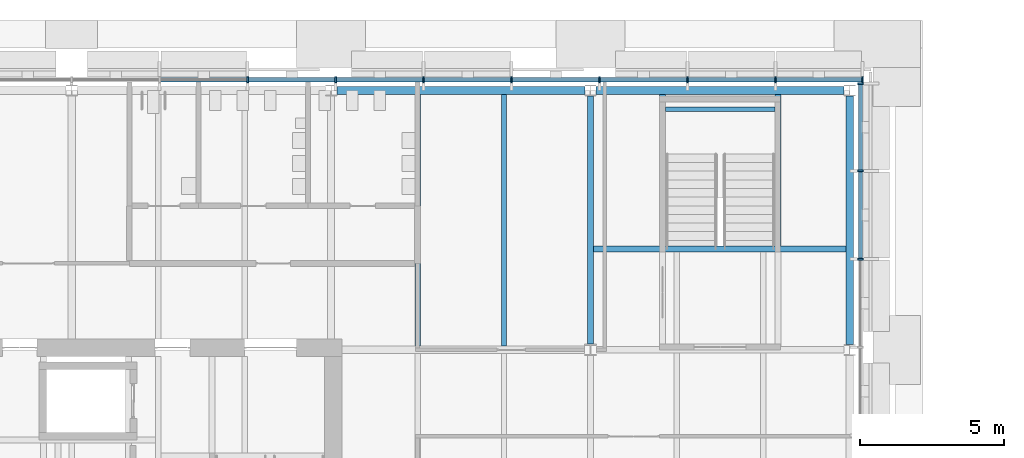
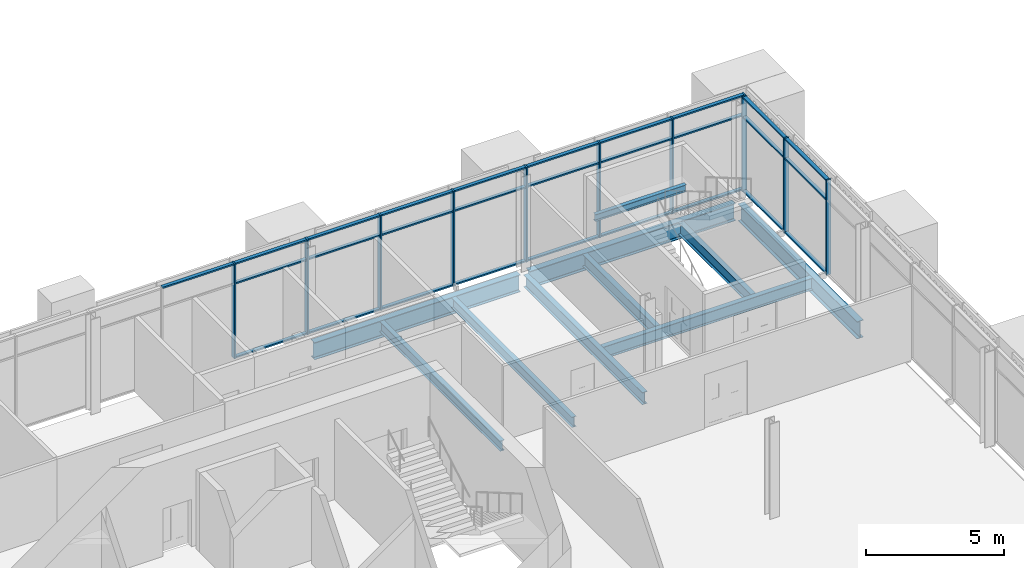
# One storey, part 87 of 153: 39 members, 10 beams, 2 elements without a shape of their own.
"""IFC4 building model written with IfcOpenShell, lengths in metres."""

from ifc_helpers import new_model, si_unit, direction, frame, origin, origin_2d, place, context, subcontext, project, spatial, rectangle, i_section, extrude, material, material_profile, profile_set, type_object, element, aggregate, save


model = new_model("IFC4")

# Units and contexts
model_context = context("Model", 3, precision=1e-05, world=origin(), true_north=direction((0.0, 1.0)))
body_context = subcontext(model_context, "Body", "Model", "MODEL_VIEW")
ifc_project = project(units=[si_unit("LENGTHUNIT", "METRE"), si_unit("AREAUNIT", "SQUARE_METRE"), si_unit("VOLUMEUNIT", "CUBIC_METRE"), si_unit("PLANEANGLEUNIT", "RADIAN"), si_unit("MASSUNIT", "GRAM", prefix="KILO")], contexts=[model_context])

# Site, building, storey
site_placement = place(None, origin())
site = spatial("IfcSite", under=ifc_project, at=site_placement, CompositionType="ELEMENT")
building_placement = place(site_placement, origin())
building = spatial("IfcBuilding", under=site, at=building_placement, Name="Baradari Gate Terminus", CompositionType="ELEMENT")
storey_placement = place(building_placement, frame((0.0, 0.0, 11.699951171875)))
storey = spatial("IfcBuildingStorey", under=building, at=storey_placement, Name="L02", CompositionType="ELEMENT", Elevation=11.699951171875)

# Curtain wall, members
ifc_material_1 = material(Name="Aluminium 6063-T6", Category="aluminium")
curtain_wall_type = type_object("IfcCurtainWallType", Name="Curtain wall CW-1 block unitised, zone L02-L05", PredefinedType="NOTDEFINED", material=ifc_material_1)
curtain_wall_1_placement = place(storey_placement, origin())
curtain_wall_1 = element("IfcCurtainWall", 1, at=curtain_wall_1_placement, inside=storey, type_object=curtain_wall_type, Name="Curtain wall CW-1 Operations block N face L02", PredefinedType="NOTDEFINED")
ifc_material_2 = material(Name="Aluminium 6063-T6", Category="aluminium")
ifc_material_profile_1 = material_profile(ifc_material_2, rectangle(XDim=0.199951171875, YDim=0.06494140625, at=origin_2d()), Name="CM-1 65X200")
ifc_profile_set_1 = profile_set([ifc_material_profile_1], Name="Aluminium 6063-T6")
member_type_1 = type_object("IfcMemberType", Name="Curtain wall mullion CM-1 65x200", PredefinedType="MULLION", material=ifc_profile_set_1)
member_1_placement = place(storey_placement, frame((42.1044921875, 144.3701171875, 0.0), z_axis=(0.0, 0.0, 1.0), x_axis=(0.0, 1.0, 0.0)))
member_1 = element("IfcMember", 2, at=member_1_placement, type_object=member_type_1, Name="CW-1 mullion 12", PredefinedType="MULLION", context=body_context, shape_type="SweptSolid", body=[
    extrude(rectangle(XDim=0.199951171875, YDim=0.06494140625, at=origin_2d()), origin(), (0.0, 0.0, 1.0), 4.199951171875),
])
member_2_placement = place(storey_placement, frame((45.15673828125, 144.3701171875, 0.0), z_axis=(0.0, 0.0, 1.0), x_axis=(0.0, 1.0, 0.0)))
member_2 = element("IfcMember", 3, at=member_2_placement, type_object=member_type_1, Name="CW-1 mullion 13", PredefinedType="MULLION", context=body_context, shape_type="SweptSolid", body=[
    extrude(rectangle(XDim=0.199951171875, YDim=0.06494140625, at=origin_2d()), origin(), (0.0, 0.0, 1.0), 4.199951171875),
])
member_3_placement = place(storey_placement, frame((48.208984375, 144.3701171875, 0.0), z_axis=(0.0, 0.0, 1.0), x_axis=(0.0, 1.0, 0.0)))
member_3 = element("IfcMember", 4, at=member_3_placement, type_object=member_type_1, Name="CW-1 mullion 14", PredefinedType="MULLION", context=body_context, shape_type="SweptSolid", body=[
    extrude(rectangle(XDim=0.199951171875, YDim=0.06494140625, at=origin_2d()), origin(), (0.0, 0.0, 1.0), 4.199951171875),
])
member_4_placement = place(storey_placement, frame((51.26123046875, 144.3701171875, 0.0), z_axis=(0.0, 0.0, 1.0), x_axis=(0.0, 1.0, 0.0)))
member_4 = element("IfcMember", 5, at=member_4_placement, type_object=member_type_1, Name="CW-1 mullion 15", PredefinedType="MULLION", context=body_context, shape_type="SweptSolid", body=[
    extrude(rectangle(XDim=0.199951171875, YDim=0.06494140625, at=origin_2d()), origin(), (0.0, 0.0, 1.0), 4.199951171875),
])
member_5_placement = place(storey_placement, frame((54.313232421875, 144.3701171875, 0.0), z_axis=(0.0, 0.0, 1.0), x_axis=(0.0, 1.0, 0.0)))
member_5 = element("IfcMember", 6, at=member_5_placement, type_object=member_type_1, Name="CW-1 mullion 16", PredefinedType="MULLION", context=body_context, shape_type="SweptSolid", body=[
    extrude(rectangle(XDim=0.199951171875, YDim=0.06494140625, at=origin_2d()), origin(), (0.0, 0.0, 1.0), 4.199951171875),
])
member_6_placement = place(storey_placement, frame((57.365478515625, 144.3701171875, 0.0), z_axis=(0.0, 0.0, 1.0), x_axis=(0.0, 1.0, 0.0)))
member_6 = element("IfcMember", 7, at=member_6_placement, type_object=member_type_1, Name="CW-1 mullion 17", PredefinedType="MULLION", context=body_context, shape_type="SweptSolid", body=[
    extrude(rectangle(XDim=0.199951171875, YDim=0.06494140625, at=origin_2d()), origin(), (0.0, 0.0, 1.0), 4.199951171875),
])
member_7_placement = place(storey_placement, frame((60.417724609375, 144.3701171875, 0.0), z_axis=(0.0, 0.0, 1.0), x_axis=(0.0, 1.0, 0.0)))
member_7 = element("IfcMember", 8, at=member_7_placement, type_object=member_type_1, Name="CW-1 mullion 18", PredefinedType="MULLION", context=body_context, shape_type="SweptSolid", body=[
    extrude(rectangle(XDim=0.199951171875, YDim=0.06494140625, at=origin_2d()), origin(), (0.0, 0.0, 1.0), 4.199951171875),
])
member_8_placement = place(storey_placement, frame((63.4375, 144.3701171875, 0.0), z_axis=(0.0, 0.0, 1.0), x_axis=(0.0, 1.0, 0.0)))
member_8 = element("IfcMember", 9, at=member_8_placement, type_object=member_type_1, Name="CW-1 mullion 19", PredefinedType="MULLION", context=body_context, shape_type="SweptSolid", body=[
    extrude(rectangle(XDim=0.199951171875, YDim=0.06494140625, at=origin_2d()), origin(), (0.0, 0.0, 1.0), 4.199951171875),
])

curtain_wall_2_placement = place(storey_placement, origin())
curtain_wall_2 = element("IfcCurtainWall", 10, at=curtain_wall_2_placement, inside=storey, type_object=curtain_wall_type, Name="Curtain wall CW-1 Operations block E face L02", PredefinedType="NOTDEFINED")
member_9_placement = place(storey_placement, frame((63.3701171875, 138.14990234375, 0.0), z_axis=(0.0, 0.0, 1.0), x_axis=(-1.0, 0.0, 0.0)))
member_9 = element("IfcMember", 11, at=member_9_placement, type_object=member_type_1, Name="CW-1 mullion 8", PredefinedType="MULLION", context=body_context, shape_type="SweptSolid", body=[
    extrude(rectangle(XDim=0.199951171875, YDim=0.06494140625, at=origin_2d()), origin(), (0.0, 0.0, 1.0), 4.199951171875),
])
member_10_placement = place(storey_placement, frame((63.3701171875, 141.2099609375, 0.0), z_axis=(0.0, 0.0, 1.0), x_axis=(-1.0, 0.0, 0.0)))
member_10 = element("IfcMember", 12, at=member_10_placement, type_object=member_type_1, Name="CW-1 mullion 9", PredefinedType="MULLION", context=body_context, shape_type="SweptSolid", body=[
    extrude(rectangle(XDim=0.199951171875, YDim=0.06494140625, at=origin_2d()), origin(), (0.0, 0.0, 1.0), 4.199951171875),
])
member_11_placement = place(storey_placement, frame((63.3701171875, 144.237548828125, 0.0), z_axis=(0.0, 0.0, 1.0), x_axis=(-1.0, 0.0, 0.0)))
member_11 = element("IfcMember", 13, at=member_11_placement, type_object=member_type_1, Name="CW-1 mullion 10", PredefinedType="MULLION", context=body_context, shape_type="SweptSolid", body=[
    extrude(rectangle(XDim=0.199951171875, YDim=0.06494140625, at=origin_2d()), origin(), (0.0, 0.0, 1.0), 4.199951171875),
])

# Member
ifc_material_3 = material(Name="Aluminium 6063-T6", Category="aluminium")
ifc_material_profile_2 = material_profile(ifc_material_3, rectangle(XDim=0.14990234375, YDim=0.06494140625, at=origin_2d()), Name="CT-1 65X150")
ifc_profile_set_2 = profile_set([ifc_material_profile_2], Name="Aluminium 6063-T6")
member_type_2 = type_object("IfcMemberType", Name="Curtain wall transom CT-1 65x150", PredefinedType="USERDEFINED", material=ifc_profile_set_2)
member_12_placement = place(storey_placement, frame((39.084716796875, 144.3701171875, 4.16748046875), z_axis=(1.0, 0.0, 0.0), x_axis=(0.0, 1.0, 0.0)))
member_12 = element("IfcMember", 14, at=member_12_placement, type_object=member_type_2, Name="CW-1 transom 11.3", ObjectType="TRANSOM", PredefinedType="USERDEFINED", context=body_context, shape_type="SweptSolid", body=[
    extrude(rectangle(XDim=0.14990234375, YDim=0.06494140625, at=origin_2d()), origin(), (0.0, 0.0, 1.0), 2.9873046875),
])

member_13_placement = place(storey_placement, frame((42.136962890625, 144.3701171875, 0.032470703125), z_axis=(1.0, 0.0, 0.0), x_axis=(0.0, 1.0, 0.0)))
member_13 = element("IfcMember", 15, at=member_13_placement, type_object=member_type_2, Name="CW-1 transom 12.1", ObjectType="TRANSOM", PredefinedType="USERDEFINED", context=body_context, shape_type="SweptSolid", body=[
    extrude(rectangle(XDim=0.14990234375, YDim=0.06494140625, at=origin_2d()), origin(), (0.0, 0.0, 1.0), 2.9873046875),
])

member_14_placement = place(storey_placement, frame((42.136962890625, 144.3701171875, 3.300048828125), z_axis=(1.0, 0.0, 0.0), x_axis=(0.0, 1.0, 0.0)))
member_14 = element("IfcMember", 16, at=member_14_placement, type_object=member_type_2, Name="CW-1 transom 12.2", ObjectType="TRANSOM", PredefinedType="USERDEFINED", context=body_context, shape_type="SweptSolid", body=[
    extrude(rectangle(XDim=0.14990234375, YDim=0.06494140625, at=origin_2d()), origin(), (0.0, 0.0, 1.0), 2.9873046875),
])

member_15_placement = place(storey_placement, frame((42.136962890625, 144.3701171875, 4.16748046875), z_axis=(1.0, 0.0, 0.0), x_axis=(0.0, 1.0, 0.0)))
member_15 = element("IfcMember", 17, at=member_15_placement, type_object=member_type_2, Name="CW-1 transom 12.3", ObjectType="TRANSOM", PredefinedType="USERDEFINED", context=body_context, shape_type="SweptSolid", body=[
    extrude(rectangle(XDim=0.14990234375, YDim=0.06494140625, at=origin_2d()), origin(), (0.0, 0.0, 1.0), 2.9873046875),
])

member_16_placement = place(storey_placement, frame((45.189208984375, 144.3701171875, 0.032470703125), z_axis=(1.0, 0.0, 0.0), x_axis=(0.0, 1.0, 0.0)))
member_16 = element("IfcMember", 18, at=member_16_placement, type_object=member_type_2, Name="CW-1 transom 13.1", ObjectType="TRANSOM", PredefinedType="USERDEFINED", context=body_context, shape_type="SweptSolid", body=[
    extrude(rectangle(XDim=0.14990234375, YDim=0.06494140625, at=origin_2d()), origin(), (0.0, 0.0, 1.0), 2.987060546875),
])

member_17_placement = place(storey_placement, frame((45.189208984375, 144.3701171875, 3.300048828125), z_axis=(1.0, 0.0, 0.0), x_axis=(0.0, 1.0, 0.0)))
member_17 = element("IfcMember", 19, at=member_17_placement, type_object=member_type_2, Name="CW-1 transom 13.2", ObjectType="TRANSOM", PredefinedType="USERDEFINED", context=body_context, shape_type="SweptSolid", body=[
    extrude(rectangle(XDim=0.14990234375, YDim=0.06494140625, at=origin_2d()), origin(), (0.0, 0.0, 1.0), 2.987060546875),
])

member_18_placement = place(storey_placement, frame((45.189208984375, 144.3701171875, 4.16748046875), z_axis=(1.0, 0.0, 0.0), x_axis=(0.0, 1.0, 0.0)))
member_18 = element("IfcMember", 20, at=member_18_placement, type_object=member_type_2, Name="CW-1 transom 13.3", ObjectType="TRANSOM", PredefinedType="USERDEFINED", context=body_context, shape_type="SweptSolid", body=[
    extrude(rectangle(XDim=0.14990234375, YDim=0.06494140625, at=origin_2d()), origin(), (0.0, 0.0, 1.0), 2.987060546875),
])

member_19_placement = place(storey_placement, frame((48.241455078125, 144.3701171875, 0.032470703125), z_axis=(1.0, 0.0, 0.0), x_axis=(0.0, 1.0, 0.0)))
member_19 = element("IfcMember", 21, at=member_19_placement, type_object=member_type_2, Name="CW-1 transom 14.1", ObjectType="TRANSOM", PredefinedType="USERDEFINED", context=body_context, shape_type="SweptSolid", body=[
    extrude(rectangle(XDim=0.14990234375, YDim=0.06494140625, at=origin_2d()), origin(), (0.0, 0.0, 1.0), 2.987060546875),
])

member_20_placement = place(storey_placement, frame((48.241455078125, 144.3701171875, 3.300048828125), z_axis=(1.0, 0.0, 0.0), x_axis=(0.0, 1.0, 0.0)))
member_20 = element("IfcMember", 22, at=member_20_placement, type_object=member_type_2, Name="CW-1 transom 14.2", ObjectType="TRANSOM", PredefinedType="USERDEFINED", context=body_context, shape_type="SweptSolid", body=[
    extrude(rectangle(XDim=0.14990234375, YDim=0.06494140625, at=origin_2d()), origin(), (0.0, 0.0, 1.0), 2.987060546875),
])

member_21_placement = place(storey_placement, frame((48.241455078125, 144.3701171875, 4.16748046875), z_axis=(1.0, 0.0, 0.0), x_axis=(0.0, 1.0, 0.0)))
member_21 = element("IfcMember", 23, at=member_21_placement, type_object=member_type_2, Name="CW-1 transom 14.3", ObjectType="TRANSOM", PredefinedType="USERDEFINED", context=body_context, shape_type="SweptSolid", body=[
    extrude(rectangle(XDim=0.14990234375, YDim=0.06494140625, at=origin_2d()), origin(), (0.0, 0.0, 1.0), 2.987060546875),
])

member_22_placement = place(storey_placement, frame((51.293701171875, 144.3701171875, 0.032470703125), z_axis=(1.0, 0.0, 0.0), x_axis=(0.0, 1.0, 0.0)))
member_22 = element("IfcMember", 24, at=member_22_placement, type_object=member_type_2, Name="CW-1 transom 15.1", ObjectType="TRANSOM", PredefinedType="USERDEFINED", context=body_context, shape_type="SweptSolid", body=[
    extrude(rectangle(XDim=0.14990234375, YDim=0.06494140625, at=origin_2d()), origin(), (0.0, 0.0, 1.0), 2.987060546875),
])

member_23_placement = place(storey_placement, frame((51.293701171875, 144.3701171875, 3.300048828125), z_axis=(1.0, 0.0, 0.0), x_axis=(0.0, 1.0, 0.0)))
member_23 = element("IfcMember", 25, at=member_23_placement, type_object=member_type_2, Name="CW-1 transom 15.2", ObjectType="TRANSOM", PredefinedType="USERDEFINED", context=body_context, shape_type="SweptSolid", body=[
    extrude(rectangle(XDim=0.14990234375, YDim=0.06494140625, at=origin_2d()), origin(), (0.0, 0.0, 1.0), 2.987060546875),
])

member_24_placement = place(storey_placement, frame((51.293701171875, 144.3701171875, 4.16748046875), z_axis=(1.0, 0.0, 0.0), x_axis=(0.0, 1.0, 0.0)))
member_24 = element("IfcMember", 26, at=member_24_placement, type_object=member_type_2, Name="CW-1 transom 15.3", ObjectType="TRANSOM", PredefinedType="USERDEFINED", context=body_context, shape_type="SweptSolid", body=[
    extrude(rectangle(XDim=0.14990234375, YDim=0.06494140625, at=origin_2d()), origin(), (0.0, 0.0, 1.0), 2.987060546875),
])

member_25_placement = place(storey_placement, frame((54.345947265625, 144.3701171875, 0.032470703125), z_axis=(1.0, 0.0, 0.0), x_axis=(0.0, 1.0, 0.0)))
member_25 = element("IfcMember", 27, at=member_25_placement, type_object=member_type_2, Name="CW-1 transom 16.1", ObjectType="TRANSOM", PredefinedType="USERDEFINED", context=body_context, shape_type="SweptSolid", body=[
    extrude(rectangle(XDim=0.14990234375, YDim=0.06494140625, at=origin_2d()), origin(), (0.0, 0.0, 1.0), 2.987060546875),
])

member_26_placement = place(storey_placement, frame((54.345947265625, 144.3701171875, 3.300048828125), z_axis=(1.0, 0.0, 0.0), x_axis=(0.0, 1.0, 0.0)))
member_26 = element("IfcMember", 28, at=member_26_placement, type_object=member_type_2, Name="CW-1 transom 16.2", ObjectType="TRANSOM", PredefinedType="USERDEFINED", context=body_context, shape_type="SweptSolid", body=[
    extrude(rectangle(XDim=0.14990234375, YDim=0.06494140625, at=origin_2d()), origin(), (0.0, 0.0, 1.0), 2.987060546875),
])

member_27_placement = place(storey_placement, frame((54.345947265625, 144.3701171875, 4.16748046875), z_axis=(1.0, 0.0, 0.0), x_axis=(0.0, 1.0, 0.0)))
member_27 = element("IfcMember", 29, at=member_27_placement, type_object=member_type_2, Name="CW-1 transom 16.3", ObjectType="TRANSOM", PredefinedType="USERDEFINED", context=body_context, shape_type="SweptSolid", body=[
    extrude(rectangle(XDim=0.14990234375, YDim=0.06494140625, at=origin_2d()), origin(), (0.0, 0.0, 1.0), 2.987060546875),
])

member_28_placement = place(storey_placement, frame((57.39794921875, 144.3701171875, 0.032470703125), z_axis=(1.0, 0.0, 0.0), x_axis=(0.0, 1.0, 0.0)))
member_28 = element("IfcMember", 30, at=member_28_placement, type_object=member_type_2, Name="CW-1 transom 17.1", ObjectType="TRANSOM", PredefinedType="USERDEFINED", context=body_context, shape_type="SweptSolid", body=[
    extrude(rectangle(XDim=0.14990234375, YDim=0.06494140625, at=origin_2d()), origin(), (0.0, 0.0, 1.0), 2.9873046875),
])

member_29_placement = place(storey_placement, frame((57.39794921875, 144.3701171875, 3.300048828125), z_axis=(1.0, 0.0, 0.0), x_axis=(0.0, 1.0, 0.0)))
member_29 = element("IfcMember", 31, at=member_29_placement, type_object=member_type_2, Name="CW-1 transom 17.2", ObjectType="TRANSOM", PredefinedType="USERDEFINED", context=body_context, shape_type="SweptSolid", body=[
    extrude(rectangle(XDim=0.14990234375, YDim=0.06494140625, at=origin_2d()), origin(), (0.0, 0.0, 1.0), 2.9873046875),
])

member_30_placement = place(storey_placement, frame((57.39794921875, 144.3701171875, 4.16748046875), z_axis=(1.0, 0.0, 0.0), x_axis=(0.0, 1.0, 0.0)))
member_30 = element("IfcMember", 32, at=member_30_placement, type_object=member_type_2, Name="CW-1 transom 17.3", ObjectType="TRANSOM", PredefinedType="USERDEFINED", context=body_context, shape_type="SweptSolid", body=[
    extrude(rectangle(XDim=0.14990234375, YDim=0.06494140625, at=origin_2d()), origin(), (0.0, 0.0, 1.0), 2.9873046875),
])

member_31_placement = place(storey_placement, frame((60.4501953125, 144.3701171875, 0.032470703125), z_axis=(1.0, 0.0, 0.0), x_axis=(0.0, 1.0, 0.0)))
member_31 = element("IfcMember", 33, at=member_31_placement, type_object=member_type_2, Name="CW-1 transom 18.1", ObjectType="TRANSOM", PredefinedType="USERDEFINED", context=body_context, shape_type="SweptSolid", body=[
    extrude(rectangle(XDim=0.14990234375, YDim=0.06494140625, at=origin_2d()), origin(), (0.0, 0.0, 1.0), 2.954833984375),
])

member_32_placement = place(storey_placement, frame((60.4501953125, 144.3701171875, 3.300048828125), z_axis=(1.0, 0.0, 0.0), x_axis=(0.0, 1.0, 0.0)))
member_32 = element("IfcMember", 34, at=member_32_placement, type_object=member_type_2, Name="CW-1 transom 18.2", ObjectType="TRANSOM", PredefinedType="USERDEFINED", context=body_context, shape_type="SweptSolid", body=[
    extrude(rectangle(XDim=0.14990234375, YDim=0.06494140625, at=origin_2d()), origin(), (0.0, 0.0, 1.0), 2.954833984375),
])

member_33_placement = place(storey_placement, frame((60.4501953125, 144.3701171875, 4.16748046875), z_axis=(1.0, 0.0, 0.0), x_axis=(0.0, 1.0, 0.0)))
member_33 = element("IfcMember", 35, at=member_33_placement, type_object=member_type_2, Name="CW-1 transom 18.3", ObjectType="TRANSOM", PredefinedType="USERDEFINED", context=body_context, shape_type="SweptSolid", body=[
    extrude(rectangle(XDim=0.14990234375, YDim=0.06494140625, at=origin_2d()), origin(), (0.0, 0.0, 1.0), 2.954833984375),
])

aggregate(curtain_wall_1, [member_1, member_2, member_3, member_4, member_5, member_6, member_7, member_8, member_12, member_13, member_14, member_15, member_16, member_17, member_18, member_19, member_20, member_21, member_22, member_23, member_24, member_25, member_26, member_27, member_28, member_29, member_30, member_31, member_32, member_33])

member_34_placement = place(storey_placement, frame((63.3701171875, 138.1826171875, 0.032470703125), z_axis=(0.0, 1.0, 0.0), x_axis=(-1.0, 0.0, 0.0)))
member_34 = element("IfcMember", 36, at=member_34_placement, type_object=member_type_2, Name="CW-1 transom 8.1", ObjectType="TRANSOM", PredefinedType="USERDEFINED", context=body_context, shape_type="SweptSolid", body=[
    extrude(rectangle(XDim=0.14990234375, YDim=0.06494140625, at=origin_2d()), origin(), (0.0, 0.0, 1.0), 2.994873046875),
])

member_35_placement = place(storey_placement, frame((63.3701171875, 138.1826171875, 3.300048828125), z_axis=(0.0, 1.0, 0.0), x_axis=(-1.0, 0.0, 0.0)))
member_35 = element("IfcMember", 37, at=member_35_placement, type_object=member_type_2, Name="CW-1 transom 8.2", ObjectType="TRANSOM", PredefinedType="USERDEFINED", context=body_context, shape_type="SweptSolid", body=[
    extrude(rectangle(XDim=0.14990234375, YDim=0.06494140625, at=origin_2d()), origin(), (0.0, 0.0, 1.0), 2.994873046875),
])

member_36_placement = place(storey_placement, frame((63.3701171875, 138.1826171875, 4.16748046875), z_axis=(0.0, 1.0, 0.0), x_axis=(-1.0, 0.0, 0.0)))
member_36 = element("IfcMember", 38, at=member_36_placement, type_object=member_type_2, Name="CW-1 transom 8.3", ObjectType="TRANSOM", PredefinedType="USERDEFINED", context=body_context, shape_type="SweptSolid", body=[
    extrude(rectangle(XDim=0.14990234375, YDim=0.06494140625, at=origin_2d()), origin(), (0.0, 0.0, 1.0), 2.994873046875),
])

member_37_placement = place(storey_placement, frame((63.3701171875, 141.242431640625, 0.032470703125), z_axis=(0.0, 1.0, 0.0), x_axis=(-1.0, 0.0, 0.0)))
member_37 = element("IfcMember", 39, at=member_37_placement, type_object=member_type_2, Name="CW-1 transom 9.1", ObjectType="TRANSOM", PredefinedType="USERDEFINED", context=body_context, shape_type="SweptSolid", body=[
    extrude(rectangle(XDim=0.14990234375, YDim=0.06494140625, at=origin_2d()), origin(), (0.0, 0.0, 1.0), 2.962646484375),
])

member_38_placement = place(storey_placement, frame((63.3701171875, 141.242431640625, 3.300048828125), z_axis=(0.0, 1.0, 0.0), x_axis=(-1.0, 0.0, 0.0)))
member_38 = element("IfcMember", 40, at=member_38_placement, type_object=member_type_2, Name="CW-1 transom 9.2", ObjectType="TRANSOM", PredefinedType="USERDEFINED", context=body_context, shape_type="SweptSolid", body=[
    extrude(rectangle(XDim=0.14990234375, YDim=0.06494140625, at=origin_2d()), origin(), (0.0, 0.0, 1.0), 2.962646484375),
])

member_39_placement = place(storey_placement, frame((63.3701171875, 141.242431640625, 4.16748046875), z_axis=(0.0, 1.0, 0.0), x_axis=(-1.0, 0.0, 0.0)))
member_39 = element("IfcMember", 41, at=member_39_placement, type_object=member_type_2, Name="CW-1 transom 9.3", ObjectType="TRANSOM", PredefinedType="USERDEFINED", context=body_context, shape_type="SweptSolid", body=[
    extrude(rectangle(XDim=0.14990234375, YDim=0.06494140625, at=origin_2d()), origin(), (0.0, 0.0, 1.0), 2.962646484375),
])

aggregate(curtain_wall_2, [member_9, member_10, member_11, member_34, member_35, member_36, member_37, member_38, member_39])

# Beams
ifc_material_4 = material(Name="Steel S355", Category="steel")
ifc_material_profile_3 = material_profile(ifc_material_4, i_section(OverallWidth=0.1650390625, OverallDepth=0.303466796875, WebThickness=0.006103515625, FlangeThickness=0.01025390625, FilletRadius=0.0087890625, at=origin_2d()), Name="UB 305x165x40")
ifc_profile_set_3 = profile_set([ifc_material_profile_3], Name="Steel S355")
beam_type_1 = type_object("IfcBeamType", Name="Landing beam B74 UB 305x165x40", PredefinedType="BEAM", material=ifc_profile_set_3)
beam_1_placement = place(storey_placement, frame((56.60009765625, 143.35009765625, 1.748291015625), z_axis=(1.0, 0.0, 0.0), x_axis=(0.0, 1.0, 0.0)))
element("IfcBeam", 42, at=beam_1_placement, inside=storey, type_object=beam_type_1, Name="B74 landing beam ST-T3/L1", PredefinedType="BEAM", context=body_context, shape_type="SweptSolid", body=[
    extrude(i_section(OverallWidth=0.1650390625, OverallDepth=0.303466796875, WebThickness=0.006103515625, FlangeThickness=0.01025390625, FilletRadius=0.0087890625, at=origin_2d()), origin(), (0.0, 0.0, 1.0), 3.7998046875),
])
ifc_material_5 = material(Name="Steel S355", Category="steel")
ifc_material_profile_4 = material_profile(ifc_material_5, i_section(OverallWidth=0.210693359375, OverallDepth=0.53955078125, WebThickness=0.01171875, FlangeThickness=0.018798828125, FilletRadius=0.0126953125, at=origin_2d()), Name="UB 533x210x109")
ifc_profile_set_4 = profile_set([ifc_material_profile_4], Name="Steel S355")
beam_type_2 = type_object("IfcBeamType", Name="Operations block girder B29 UB 533x210x109", PredefinedType="BEAM", material=ifc_profile_set_4)
beam_2_placement = place(storey_placement, frame((54.0, 135.203125, -0.399658203125), z_axis=(0.0, 1.0, 0.0), x_axis=(-1.0, 0.0, 0.0)))
element("IfcBeam", 43, at=beam_2_placement, inside=storey, type_object=beam_type_2, Name="Operations block girder B29 7:135.203-143.81 L02", PredefinedType="BEAM", context=body_context, shape_type="SweptSolid", body=[
    extrude(i_section(OverallWidth=0.210693359375, OverallDepth=0.53955078125, WebThickness=0.01171875, FlangeThickness=0.018798828125, FilletRadius=0.0126953125, at=origin_2d()), origin(), (0.0, 0.0, 1.0), 8.6064453125),
])
ifc_material_6 = material(Name="Steel S355", Category="steel")
ifc_material_profile_5 = material_profile(ifc_material_6, i_section(OverallWidth=0.2666015625, OverallDepth=0.76220703125, WebThickness=0.014404296875, FlangeThickness=0.021484375, FilletRadius=0.0166015625, at=origin_2d()), Name="UB 762x267x173")
ifc_profile_set_5 = profile_set([ifc_material_profile_5], Name="Steel S355")
beam_type_3 = type_object("IfcBeamType", Name="Operations block moment frame beam B24 UB 762x267x173", PredefinedType="BEAM", material=ifc_profile_set_5)
for number, where, z_axis, x_axis, name in (
    (44, (45.197509765625, 144.0, -0.510986328125), (1.0, 0.0, 0.0), (0.0, 1.0, 0.0), "Operations block moment frame beam B24 S:45.197-53.803 L02"),
    (45, (54.197509765625, 144.0, -0.510986328125), (1.0, 0.0, 0.0), (0.0, 1.0, 0.0), "Operations block moment frame beam B24 S:54.197-62.803 L02"),
):
    element("IfcBeam", number, at=place(storey_placement, frame(where, z_axis=z_axis, x_axis=x_axis)), inside=storey, type_object=beam_type_3, Name=name, PredefinedType="BEAM", context=body_context, shape_type="SweptSolid", body=[
        extrude(i_section(OverallWidth=0.2666015625, OverallDepth=0.76220703125, WebThickness=0.014404296875, FlangeThickness=0.021484375, FilletRadius=0.0166015625, at=origin_2d()), origin(), (0.0, 0.0, 1.0), 8.60498046875),
    ])
beam_3_placement = place(storey_placement, frame((63.0, 135.1904296875, -0.510986328125), z_axis=(0.0, 1.0, 0.0), x_axis=(-1.0, 0.0, 0.0)))
element("IfcBeam", 46, at=beam_3_placement, inside=storey, type_object=beam_type_3, Name="Operations block moment frame beam B24 8:135.19-143.81 L02", PredefinedType="BEAM", context=body_context, shape_type="SweptSolid", body=[
    extrude(i_section(OverallWidth=0.2666015625, OverallDepth=0.76220703125, WebThickness=0.014404296875, FlangeThickness=0.021484375, FilletRadius=0.0166015625, at=origin_2d()), origin(), (0.0, 0.0, 1.0), 8.619140625),
])
ifc_material_7 = material(Name="Steel S355", Category="steel")
ifc_material_profile_6 = material_profile(ifc_material_7, i_section(OverallWidth=0.18994140625, OverallDepth=0.453369140625, WebThickness=0.008544921875, FlangeThickness=0.0126953125, FilletRadius=0.01025390625, at=origin_2d()), Name="UB 457x191x67")
ifc_profile_set_6 = profile_set([ifc_material_profile_6], Name="Steel S355")
beam_type_4 = type_object("IfcBeamType", Name="Operations block secondary beam B28 UB 457x191x67", PredefinedType="BEAM", material=ifc_profile_set_6)
for number, where, z_axis, x_axis, name in (
    (47, (48.0, 135.127197265625, -0.356689453125), (0.0, 1.0, 0.0), (-1.0, 0.0, 0.0), "Operations block secondary beam B28 48:135.127-143.867 L02"),
    (48, (51.0, 135.127197265625, -0.356689453125), (0.0, 1.0, 0.0), (-1.0, 0.0, 0.0), "Operations block secondary beam B28 51:135.127-143.867 L02"),
):
    element("IfcBeam", number, at=place(storey_placement, frame(where, z_axis=z_axis, x_axis=x_axis)), inside=storey, type_object=beam_type_4, Name=name, PredefinedType="BEAM", context=body_context, shape_type="SweptSolid", body=[
        extrude(i_section(OverallWidth=0.18994140625, OverallDepth=0.453369140625, WebThickness=0.008544921875, FlangeThickness=0.0126953125, FilletRadius=0.01025390625, at=origin_2d()), origin(), (0.0, 0.0, 1.0), 8.739501953125),
    ])
ifc_material_8 = material(Name="Steel S355", Category="steel")
ifc_material_profile_7 = material_profile(ifc_material_8, i_section(OverallWidth=0.209228515625, OverallDepth=0.533203125, WebThickness=0.010009765625, FlangeThickness=0.015625, FilletRadius=0.0126953125, at=origin_2d()), Name="UB 533x210x92")
ifc_profile_set_7 = profile_set([ifc_material_profile_7], Name="Steel S355")
beam_type_5 = type_object("IfcBeamType", Name="Operations block trimmer beam B27 UB 533x210x92", PredefinedType="BEAM", material=ifc_profile_set_7)
beam_4_placement = place(storey_placement, frame((54.10546875, 138.5, -0.396484375), z_axis=(1.0, 0.0, 0.0), x_axis=(0.0, 1.0, 0.0)))
element("IfcBeam", 49, at=beam_4_placement, inside=storey, type_object=beam_type_5, Name="Operations block trimmer beam B27 138.5:54.105-62.867 L02", PredefinedType="BEAM", context=body_context, shape_type="SweptSolid", body=[
    extrude(i_section(OverallWidth=0.209228515625, OverallDepth=0.533203125, WebThickness=0.010009765625, FlangeThickness=0.015625, FilletRadius=0.0126953125, at=origin_2d()), origin(), (0.0, 0.0, 1.0), 8.76123046875),
])
for number, where, z_axis, x_axis, name in (
    (50, (56.4951171875, 138.6044921875, -0.396484375), (0.0, 1.0, 0.0), (-1.0, 0.0, 0.0), "Operations block trimmer beam B27 56.495:138.605-143.867 L02"),
    (51, (60.5048828125, 138.6044921875, -0.396484375), (0.0, 1.0, 0.0), (-1.0, 0.0, 0.0), "Operations block trimmer beam B27 60.505:138.605-143.867 L02"),
):
    element("IfcBeam", number, at=place(storey_placement, frame(where, z_axis=z_axis, x_axis=x_axis)), inside=storey, type_object=beam_type_5, Name=name, PredefinedType="BEAM", context=body_context, shape_type="SweptSolid", body=[
        extrude(i_section(OverallWidth=0.209228515625, OverallDepth=0.533203125, WebThickness=0.010009765625, FlangeThickness=0.015625, FilletRadius=0.0126953125, at=origin_2d()), origin(), (0.0, 0.0, 1.0), 5.26220703125),
    ])

save(model, "model.ifc")
